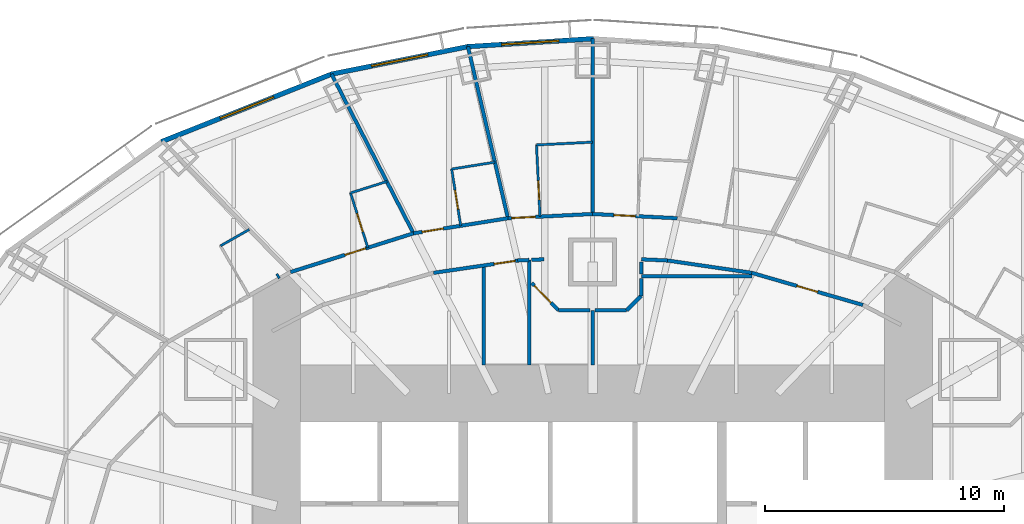
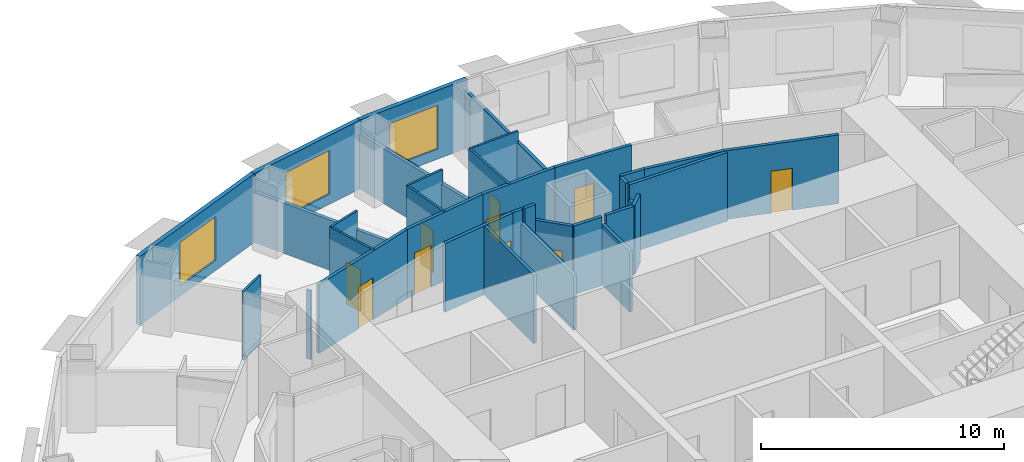
# One storey, part 10 of 17: 34 walls, 10 doors, 3 windows, 13 openings.
"""IFC4 building model written with IfcOpenShell, lengths in metres."""

import ifcopenshell
import ifcopenshell.guid

model = None  # the IFC model being written
_history = None  # IfcOwnerHistory: only IFC2X3 demands one
_inside = {}  # id of a spatial element -> (the spatial element, [elements in it])
_under = {}  # id of a project, library or spatial element -> (it, [spatial elements below it])
_declared = {}  # id of a project -> (the project, [libraries it declares])
_typed = {}  # id of a type object -> (the type object, [elements of that type])
_made_of = {}  # id of a material, layer set ... -> (it, [elements and type objects made of it])


def new_model(schema):
    """Start an empty IFC model of exactly this schema.

    Asked for "IFC4X3", IfcOpenShell would pick the latest addendum, in which some entities
    have other attributes; the version numbers below select the first issue.
    IFC2X3 requires an IfcOwnerHistory on every rooted entity: one is made here for all.
    """
    global model, _history
    if schema == "IFC4X3":
        model = ifcopenshell.file(schema_version=(4, 3, 0, 0))
    else:
        model = ifcopenshell.file(schema=schema)
    _inside.clear()
    _under.clear()
    _declared.clear()
    _typed.clear()
    _made_of.clear()
    _history = None
    if model.schema == "IFC2X3":
        org = make("IfcOrganization", Name="unknown")
        user = make(
            "IfcPersonAndOrganization",
            ThePerson=make("IfcPerson", FamilyName="unknown"),
            TheOrganization=org,
        )
        app = make(
            "IfcApplication",
            ApplicationDeveloper=org,
            Version="unknown",
            ApplicationFullName="unknown",
            ApplicationIdentifier="unknown",
        )
        _history = make(
            "IfcOwnerHistory",
            OwningUser=user,
            OwningApplication=app,
            ChangeAction="ADDED",
            CreationDate=0,
        )
    return model


def make(cls, **values):
    """One entity of the class cls with the attributes given. An attribute that is None is left unset."""
    return model.create_entity(
        cls, **{name: value for name, value in values.items() if value is not None}
    )


def rooted(cls, **values):
    """An entity with a GlobalId (a new one), such as an element, a storey or a relation."""
    return make(cls, GlobalId=ifcopenshell.guid.new(), OwnerHistory=_history, **values)


def si_unit(unit_type, name, prefix=None):
    """IfcSIUnit, for example si_unit("LENGTHUNIT", "METRE", prefix="MILLI")."""
    return make("IfcSIUnit", UnitType=unit_type, Prefix=prefix, Name=name)


def assignment(units):
    """IfcUnitAssignment: the units of a project."""
    return None if units is None else make("IfcUnitAssignment", Units=units)


def point(xyz):
    """IfcCartesianPoint."""
    return None if xyz is None else make("IfcCartesianPoint", Coordinates=xyz)


def direction(xyz):
    """IfcDirection."""
    return None if xyz is None else make("IfcDirection", DirectionRatios=xyz)


def frame(location, z_axis=None, x_axis=None):
    """IfcAxis2Placement3D, a coordinate frame: its origin and axes. An axis left out is left unset."""
    return make(
        "IfcAxis2Placement3D",
        Location=point(location),
        Axis=direction(z_axis),
        RefDirection=direction(x_axis),
    )


def frame_2d(location, x_axis=None):
    """IfcAxis2Placement2D, a coordinate frame in the plane: its origin and x axis."""
    return make(
        "IfcAxis2Placement2D", Location=point(location), RefDirection=direction(x_axis)
    )


def origin():
    """The frame at (0, 0, 0) with its axes left unset."""
    return frame((0.0, 0.0, 0.0))


def place(relative_to, where):
    """IfcLocalPlacement: puts the frame where relative to a parent placement (None: the world)."""
    return make(
        "IfcLocalPlacement", PlacementRelTo=relative_to, RelativePlacement=where
    )


def context(
    kind, dimensions, precision=None, world=None, true_north=None, identifier=None
):
    """IfcGeometricRepresentationContext, for example the 3D "Model" context."""
    return make(
        "IfcGeometricRepresentationContext",
        ContextIdentifier=identifier,
        ContextType=kind,
        CoordinateSpaceDimension=dimensions,
        Precision=precision,
        WorldCoordinateSystem=world,
        TrueNorth=true_north,
    )


def subcontext(parent, identifier, kind, view, scale=None):
    """IfcGeometricRepresentationSubContext, for example "Body" below "Model"."""
    return make(
        "IfcGeometricRepresentationSubContext",
        ContextIdentifier=identifier,
        ContextType=kind,
        ParentContext=parent,
        TargetScale=scale,
        TargetView=view,
    )


def project(units=None, contexts=None):
    """IfcProject with its units and contexts."""
    return rooted(
        "IfcProject",
        Name="project",
        RepresentationContexts=contexts,
        UnitsInContext=assignment(units),
    )


def spatial(cls, under=None, at=None, **own):
    """A site, building, storey or space (cls), placed at a placement, below another one or the project."""
    s = rooted(cls, ObjectPlacement=at, **own)
    if under is not None:
        _under.setdefault(under.id(), (under, []))[1].append(s)
    return s


def profile(cls, at=None, kind="AREA", **sizes):
    """A parametric profile (cls). Its sizes go by their IFC names, for example OverallWidth=200.0."""
    return make(cls, ProfileType=kind, Position=at, **sizes)


def rectangle(**sizes):
    """IfcRectangleProfileDef."""
    return profile("IfcRectangleProfileDef", **sizes)


def extrude(swept, where, along, depth):
    """IfcExtrudedAreaSolid: the profile swept, set in the frame where, extruded along a direction by depth."""
    return make(
        "IfcExtrudedAreaSolid",
        SweptArea=swept,
        Position=where,
        ExtrudedDirection=direction(along),
        Depth=depth,
    )


def shape(context_of_items, identifier, shape_type, items):
    """IfcShapeRepresentation: the items that make up one representation, for example the "Body"."""
    return make(
        "IfcShapeRepresentation",
        ContextOfItems=context_of_items,
        RepresentationIdentifier=identifier,
        RepresentationType=shape_type,
        Items=items,
    )


def material(Name=None, Category=None):
    """IfcMaterial."""
    return make("IfcMaterial", Name=Name, Category=Category)


def layer(
    of_material, thickness, ventilated=None, Name=None, Category=None, Priority=None
):
    """IfcMaterialLayer: one layer of a wall or slab, of a material (None: an air gap)."""
    return make(
        "IfcMaterialLayer",
        Material=of_material,
        LayerThickness=thickness,
        IsVentilated=ventilated,
        Name=Name,
        Category=Category,
        Priority=Priority,
    )


def layer_set(layers, Name=None):
    """IfcMaterialLayerSet."""
    return make("IfcMaterialLayerSet", MaterialLayers=layers, LayerSetName=Name)


def made_of(thing, what):
    """Note that an element or type object is made of a material, layer set ...; save() writes the relation."""
    if what is not None:
        _made_of.setdefault(what.id(), (what, []))[1].append(thing)
    return thing


def type_object(cls, material=None, **own):
    """A type object (cls), such as IfcWallType, which elements share."""
    return made_of(rooted(cls, **own), material)


def element(
    cls,
    number,
    at=None,
    inside=None,
    cuts=None,
    type_object=None,
    material=None,
    context=None,
    identifier="Body",
    shape_type=None,
    held_by="IfcProductDefinitionShape",
    body=None,
    shapes=None,
    **own,
):
    """One element of the class cls, such as IfcWall. Its Tag is "e" and its number.

    at: its placement. inside: the storey or other place that contains it. cuts: it is an
    opening in that element (IfcRelVoidsElement). A single representation is given by context,
    identifier, shape_type and body (its items); several are given by shapes. held_by: the class
    of the entity that holds the representations. save() writes the other relations.
    """
    e = rooted(cls, Tag="e%d" % number, ObjectPlacement=at, **own)
    if body is not None:
        shapes = [shape(context, identifier, shape_type, body)]
    if shapes is not None:
        e.Representation = make(held_by, Representations=shapes)
    if inside is not None:
        _inside.setdefault(inside.id(), (inside, []))[1].append(e)
    if cuts is not None:
        rooted(
            "IfcRelVoidsElement", RelatingBuildingElement=cuts, RelatedOpeningElement=e
        )
    if type_object is not None:
        _typed.setdefault(type_object.id(), (type_object, []))[1].append(e)
    return made_of(e, material)


def fill(opening, filler):
    """IfcRelFillsElement: the door or window that sits in an opening."""
    return rooted(
        "IfcRelFillsElement",
        RelatingOpeningElement=opening,
        RelatedBuildingElement=filler,
    )


def aggregate(whole, parts):
    """IfcRelAggregates: a whole, such as a stair, and the parts it consists of."""
    return rooted("IfcRelAggregates", RelatingObject=whole, RelatedObjects=parts)


def save(model, path):
    """Write the relations noted so far, then the file.

    IfcRelAggregates (storeys below a building ...), IfcRelContainedInSpatialStructure (elements
    in a storey), IfcRelDefinesByType, IfcRelAssociatesMaterial and IfcRelDeclares: one each for
    every whole, place, type object, material and project.
    """
    for whole, parts in _under.values():
        aggregate(whole, parts)
    for where, things in _inside.values():
        rooted(
            "IfcRelContainedInSpatialStructure",
            RelatedElements=things,
            RelatingStructure=where,
        )
    for kind, things in _typed.values():
        rooted("IfcRelDefinesByType", RelatedObjects=things, RelatingType=kind)
    for what, things in _made_of.values():
        rooted("IfcRelAssociatesMaterial", RelatedObjects=things, RelatingMaterial=what)
    for by, libraries in _declared.values():
        rooted("IfcRelDeclares", RelatingContext=by, RelatedDefinitions=libraries)
    model.write(path)


model = new_model("IFC4")

# Units and contexts
model_context = context("Model", 3, precision=1e-05, world=origin(), true_north=direction((0.0, 1.0)))
body_context = subcontext(model_context, "Body", "Model", "MODEL_VIEW")
ifc_project = project(units=[si_unit("LENGTHUNIT", "METRE"), si_unit("AREAUNIT", "SQUARE_METRE"), si_unit("VOLUMEUNIT", "CUBIC_METRE"), si_unit("PLANEANGLEUNIT", "RADIAN"), si_unit("MASSUNIT", "GRAM", prefix="KILO")], contexts=[model_context])

# Site, building, storey
site_placement = place(None, origin())
site = spatial("IfcSite", under=ifc_project, at=site_placement, CompositionType="ELEMENT")
building_placement = place(site_placement, origin())
building = spatial("IfcBuilding", under=site, at=building_placement, Name="Lantaw Convention Tower", CompositionType="ELEMENT")
storey_placement = place(building_placement, frame((0.0, 0.0, 37.0)))
storey = spatial("IfcBuildingStorey", under=building, at=storey_placement, Name="L06", CompositionType="ELEMENT", Elevation=37.0)

# Walls
ifc_material_1 = material(Name="Gypsum board on steel studs", Category="steel")
ifc_layer_1 = layer(ifc_material_1, 0.14990234375)
ifc_layer_set_1 = layer_set([ifc_layer_1], Name="Back of house wall 150")
wall_type_1 = type_object("IfcWallType", Name="Back of house wall 150", PredefinedType="PARTITIONING", material=ifc_layer_set_1)
wall_1_placement = place(storey_placement, frame((0.0, 9.199951171875, 0.0), z_axis=(0.0, 0.0, 1.0), x_axis=(0.0, 1.0, 0.0)))
element("IfcWall", 1, at=wall_1_placement, inside=storey, type_object=wall_type_1, Name="Back of house wall 150", PredefinedType="PARTITIONING", context=body_context, shape_type="SweptSolid", body=[
    extrude(rectangle(XDim=2.26513671875, YDim=0.14990234375, at=frame_2d((1.132568359375, 0.0))), origin(), (0.0, 0.0, 1.0), 3.043701171875),
])
wall_2_placement = place(storey_placement, frame((6.667724609375, 12.89990234375, 0.0), z_axis=(0.0, 0.0, 1.0), x_axis=(-1.0, 0.0, 0.0)))
element("IfcWall", 2, at=wall_2_placement, inside=storey, type_object=wall_type_1, Name="Back of house wall 150", PredefinedType="PARTITIONING", context=body_context, shape_type="SweptSolid", body=[
    extrude(rectangle(XDim=4.6328125, YDim=0.14990234375, at=frame_2d((2.31640625, 0.0))), origin(), (0.0, 0.0, 1.0), 3.449951171875),
])
wall_3_placement = place(storey_placement, frame((2.02490234375, 12.796875, 0.0), z_axis=(0.0, 0.0, 1.0), x_axis=(0.0, -1.0, 0.0)))
element("IfcWall", 3, at=wall_3_placement, inside=storey, type_object=wall_type_1, Name="Back of house wall 150", PredefinedType="PARTITIONING", context=body_context, shape_type="SweptSolid", body=[
    extrude(rectangle(XDim=0.721435546875, YDim=0.14990234375, at=frame_2d((0.36083984375, 0.0))), origin(), (0.0, 0.0, 1.0), 2.7490234375),
])
wall_4_placement = place(storey_placement, frame((2.02490234375, 12.075439453125, 0.0), z_axis=(0.0, 0.0, 1.0), x_axis=(-0.707106781187, -0.707106781187, 0.0)))
element("IfcWall", 4, at=wall_4_placement, inside=storey, type_object=wall_type_1, Name="Back of house wall 150", PredefinedType="PARTITIONING", context=body_context, shape_type="SweptSolid", body=[
    extrude(rectangle(XDim=0.84912109375, YDim=0.14990234375, at=frame_2d((0.424560546875, 0.0))), origin(), (0.0, 0.0, 1.0), 3.449951171875),
])
for number, where, z_axis, x_axis, name in (
    (5, (1.424560546875, 11.47509765625, 0.0), (0.0, 0.0, 1.0), (-1.0, 0.0, 0.0), "Back of house wall 150"),
    (6, (-0.103271484375, 11.47509765625, 0.0), (0.0, 0.0, 1.0), (-1.0, 0.0, 0.0), "Back of house wall 150"),
):
    element("IfcWall", number, at=place(storey_placement, frame(where, z_axis=z_axis, x_axis=x_axis)), inside=storey, type_object=wall_type_1, Name=name, PredefinedType="PARTITIONING", context=body_context, shape_type="SweptSolid", body=[
        extrude(rectangle(XDim=1.3212890625, YDim=0.14990234375, at=frame_2d((0.66064453125, 0.0))), origin(), (0.0, 0.0, 1.0), 3.449951171875),
    ])
wall_5_placement = place(storey_placement, frame((2.02490234375, 13.502685546875, 0.0), z_axis=(0.0, 0.0, 1.0), x_axis=(0.0, -1.0, 0.0)))
element("IfcWall", 7, at=wall_5_placement, inside=storey, type_object=wall_type_1, Name="Back of house wall 150", PredefinedType="PARTITIONING", context=body_context, shape_type="SweptSolid", body=[
    extrude(rectangle(XDim=0.49951171875, YDim=0.14990234375, at=frame_2d((0.249755859375, 0.0))), origin(), (0.0, 0.0, 1.0), 3.449951171875),
])

# Wall, opening, door
ifc_material_2 = material(Name="Moisture resistant gypsum board on steel studs", Category="steel")
ifc_layer_2 = layer(ifc_material_2, 0.10009765625)
ifc_layer_set_2 = layer_set([ifc_layer_2], Name="Bathroom wall 100")
wall_type_2 = type_object("IfcWallType", Name="Bathroom wall 100", PredefinedType="PARTITIONING", material=ifc_layer_set_2)
wall_6_placement = place(storey_placement, frame((-2.197265625, 15.390380859375, 0.0), z_axis=(0.0, 0.0, 1.0), x_axis=(-0.049888907753, 0.998754773147, 0.0)))
wall_6 = element("IfcWall", 8, at=wall_6_placement, inside=storey, type_object=wall_type_2, Name="Bathroom wall 100", PredefinedType="PARTITIONING", context=body_context, shape_type="SweptSolid", body=[
    extrude(rectangle(XDim=2.999755859375, YDim=0.10009765625, at=frame_2d((1.5, 0.0))), origin(), (0.0, 0.0, 1.0), 3.449951171875),
])
opening_1_placement = place(wall_6_placement, frame((0.699951171875, 0.0, 0.0)))
opening_1 = element("IfcOpeningElement", 9, at=opening_1_placement, cuts=wall_6, Name="Opening L06.37", PredefinedType="OPENING", context=body_context, shape_type="SweptSolid", body=[
    extrude(rectangle(XDim=0.800048828125, YDim=2.10009765625, at=frame_2d((0.39990234375, 1.050048828125))), frame((0.0, 0.06005859375, 0.0), z_axis=(0.0, -1.0, 0.0), x_axis=(1.0, 0.0, 0.0)), (0.0, 0.0, 1.0), 0.1201171875),
])
ifc_material_3 = material(Name="Timber", Category="wood")
door_type_1 = type_object("IfcDoorType", Name="Bathroom door 800", OperationType="SINGLE_SWING_LEFT", PredefinedType="DOOR", material=ifc_material_3)
door_1_placement = place(opening_1_placement, origin())
door_1 = element("IfcDoor", 10, at=door_1_placement, inside=storey, type_object=door_type_1, Name="Bathroom door", OperationType="SINGLE_SWING_LEFT", OverallHeight=2.10009765625, OverallWidth=0.800048828125, PredefinedType="DOOR", context=body_context, shape_type="SweptSolid", body=[
    extrude(rectangle(XDim=0.800048828125, YDim=2.10009765625, at=frame_2d((0.39990234375, 1.050048828125))), frame((0.0, 0.02490234375, 0.0), z_axis=(0.0, -1.0, 0.0), x_axis=(1.0, 0.0, 0.0)), (0.0, 0.0, 1.0), 0.050048828125),
])
fill(opening_1, door_1)

# Wall
wall_7_placement = place(storey_placement, frame((-2.346923828125, 18.386474609375, 0.0), z_axis=(0.0, 0.0, 1.0), x_axis=(0.998755704817, 0.049870252607, 0.0)))
element("IfcWall", 11, at=wall_7_placement, inside=storey, type_object=wall_type_2, Name="Bathroom wall 100", PredefinedType="PARTITIONING", context=body_context, shape_type="SweptSolid", body=[
    extrude(rectangle(XDim=2.349853515625, YDim=0.10009765625, at=frame_2d((1.1748046875, 0.0))), origin(), (0.0, 0.0, 1.0), 3.449951171875),
])

# Wall, opening, door
wall_8_placement = place(storey_placement, frame((-5.5126953125, 15.0078125, 0.0), z_axis=(0.0, 0.0, 1.0), x_axis=(-0.157780217218, 0.987474254376, 0.0)))
wall_8 = element("IfcWall", 12, at=wall_8_placement, inside=storey, type_object=wall_type_2, Name="Bathroom wall 100", PredefinedType="PARTITIONING", context=body_context, shape_type="SweptSolid", body=[
    extrude(rectangle(XDim=2.39990234375, YDim=0.10009765625, at=frame_2d((1.199951171875, 0.0))), origin(), (0.0, 0.0, 1.0), 3.449951171875),
])
opening_2_placement = place(wall_8_placement, frame((0.699951171875, 0.0, 0.0)))
opening_2 = element("IfcOpeningElement", 13, at=opening_2_placement, cuts=wall_8, Name="Opening L06.39", PredefinedType="OPENING", context=body_context, shape_type="SweptSolid", body=[
    extrude(rectangle(XDim=0.800048828125, YDim=2.10009765625, at=frame_2d((0.39990234375, 1.050048828125))), frame((0.0, 0.06005859375, 0.0), z_axis=(0.0, -1.0, 0.0), x_axis=(1.0, 0.0, 0.0)), (0.0, 0.0, 1.0), 0.1201171875),
])
door_2_placement = place(opening_2_placement, origin())
door_2 = element("IfcDoor", 14, at=door_2_placement, inside=storey, type_object=door_type_1, Name="Bathroom door", OperationType="SINGLE_SWING_LEFT", OverallHeight=2.10009765625, OverallWidth=0.800048828125, PredefinedType="DOOR", context=body_context, shape_type="SweptSolid", body=[
    extrude(rectangle(XDim=0.800048828125, YDim=2.10009765625, at=frame_2d((0.39990234375, 1.050048828125))), frame((0.0, 0.02490234375, 0.0), z_axis=(0.0, -1.0, 0.0), x_axis=(1.0, 0.0, 0.0)), (0.0, 0.0, 1.0), 0.050048828125),
])
fill(opening_2, door_2)

# Wall
wall_9_placement = place(storey_placement, frame((-5.891357421875, 17.377685546875, 0.0), z_axis=(0.0, 0.0, 1.0), x_axis=(0.987478784284, 0.157751863976, 0.0)))
element("IfcWall", 15, at=wall_9_placement, inside=storey, type_object=wall_type_2, Name="Bathroom wall 100", PredefinedType="PARTITIONING", context=body_context, shape_type="SweptSolid", body=[
    extrude(rectangle(XDim=1.83544921875, YDim=0.10009765625, at=frame_2d((0.917724609375, 0.0))), origin(), (0.0, 0.0, 1.0), 3.449951171875),
])

# Wall, opening, door
wall_10_placement = place(storey_placement, frame((-9.393798828125, 14.09130859375, 0.0), z_axis=(0.0, 0.0, 1.0), x_axis=(-0.30049839721, 0.953782319649, 0.0)))
wall_10 = element("IfcWall", 16, at=wall_10_placement, inside=storey, type_object=wall_type_2, Name="Bathroom wall 100", PredefinedType="PARTITIONING", context=body_context, shape_type="SweptSolid", body=[
    extrude(rectangle(XDim=2.39990234375, YDim=0.10009765625, at=frame_2d((1.199951171875, 0.0))), origin(), (0.0, 0.0, 1.0), 3.449951171875),
])
opening_3_placement = place(wall_10_placement, frame((0.699951171875, 0.0, 0.0)))
opening_3 = element("IfcOpeningElement", 17, at=opening_3_placement, cuts=wall_10, Name="Opening L06.41", PredefinedType="OPENING", context=body_context, shape_type="SweptSolid", body=[
    extrude(rectangle(XDim=0.800048828125, YDim=2.10009765625, at=frame_2d((0.39990234375, 1.050048828125))), frame((0.0, 0.06005859375, 0.0), z_axis=(0.0, -1.0, 0.0), x_axis=(1.0, 0.0, 0.0)), (0.0, 0.0, 1.0), 0.1201171875),
])
door_3_placement = place(opening_3_placement, origin())
door_3 = element("IfcDoor", 18, at=door_3_placement, inside=storey, type_object=door_type_1, Name="Bathroom door", OperationType="SINGLE_SWING_LEFT", OverallHeight=2.10009765625, OverallWidth=0.800048828125, PredefinedType="DOOR", context=body_context, shape_type="SweptSolid", body=[
    extrude(rectangle(XDim=0.800048828125, YDim=2.10009765625, at=frame_2d((0.39990234375, 1.050048828125))), frame((0.0, 0.02490234375, 0.0), z_axis=(0.0, -1.0, 0.0), x_axis=(1.0, 0.0, 0.0)), (0.0, 0.0, 1.0), 0.050048828125),
])
fill(opening_3, door_3)

# Walls
wall_11_placement = place(storey_placement, frame((-10.114990234375, 16.38037109375, 0.0), z_axis=(0.0, 0.0, 1.0), x_axis=(0.953764923986, 0.300553605492, 0.0)))
element("IfcWall", 19, at=wall_11_placement, inside=storey, type_object=wall_type_2, Name="Bathroom wall 100", PredefinedType="PARTITIONING", context=body_context, shape_type="SweptSolid", body=[
    extrude(rectangle(XDim=1.597900390625, YDim=0.10009765625, at=frame_2d((0.798828125, 0.0))), origin(), (0.0, 0.0, 1.0), 3.449951171875),
])
wall_12_placement = place(storey_placement, frame((-15.550048828125, 14.169677734375, 0.0), z_axis=(0.0, 0.0, 1.0), x_axis=(0.869065896633, 0.494696338485, 0.0)))
element("IfcWall", 20, at=wall_12_placement, inside=storey, type_object=wall_type_2, Name="Bathroom wall 100", PredefinedType="PARTITIONING", context=body_context, shape_type="SweptSolid", body=[
    extrude(rectangle(XDim=1.3857421875, YDim=0.10009765625, at=frame_2d((0.69287109375, 0.0))), origin(), (0.0, 0.0, 1.0), 3.449951171875),
])

# Wall, opening, door
ifc_material_4 = material(Name="Gypsum board on steel studs, fire rated", Category="steel")
ifc_layer_3 = layer(ifc_material_4, 0.14990234375)
ifc_layer_set_3 = layer_set([ifc_layer_3], Name="Corridor wall 150 EI 60")
wall_type_3 = type_object("IfcWallType", Name="Corridor wall 150 EI 60", PredefinedType="PARTITIONING", material=ifc_layer_set_3)
wall_13_placement = place(storey_placement, frame((3.53759765625, 15.3232421875, 0.0), z_axis=(0.0, 0.0, 1.0), x_axis=(-0.998754057167, 0.049903239295, 0.0)))
wall_13 = element("IfcWall", 21, at=wall_13_placement, inside=storey, type_object=wall_type_3, Name="Corridor wall 150", PredefinedType="PARTITIONING", context=body_context, shape_type="SweptSolid", body=[
    extrude(rectangle(XDim=3.5419921875, YDim=0.14990234375, at=frame_2d((1.77099609375, 0.0))), origin(), (0.0, 0.0, 1.0), 3.449951171875),
])
opening_4_placement = place(wall_13_placement, frame((1.75, 0.0, 0.0)))
opening_4 = element("IfcOpeningElement", 22, at=opening_4_placement, cuts=wall_13, Name="Opening L06.36", PredefinedType="OPENING", context=body_context, shape_type="SweptSolid", body=[
    extrude(rectangle(XDim=0.89990234375, YDim=2.10009765625, at=frame_2d((0.449951171875, 1.050048828125))), frame((0.0, 0.0849609375, 0.0), z_axis=(0.0, -1.0, 0.0), x_axis=(1.0, 0.0, 0.0)), (0.0, 0.0, 1.0), 0.169921875),
])
ifc_material_5 = material(Name="Steel, fire rated", Category="steel")
door_type_2 = type_object("IfcDoorType", Name="Guest room entrance door FD30S", OperationType="SINGLE_SWING_LEFT", PredefinedType="DOOR", material=ifc_material_5)
door_4_placement = place(opening_4_placement, origin())
door_4 = element("IfcDoor", 23, at=door_4_placement, inside=storey, type_object=door_type_2, Name="Guest room entrance door", OperationType="SINGLE_SWING_LEFT", OverallHeight=2.10009765625, OverallWidth=0.89990234375, PredefinedType="DOOR", context=body_context, shape_type="SweptSolid", body=[
    extrude(rectangle(XDim=0.89990234375, YDim=2.10009765625, at=frame_2d((0.449951171875, 1.050048828125))), frame((0.0, 0.02490234375, 0.0), z_axis=(0.0, -1.0, 0.0), x_axis=(1.0, 0.0, 0.0)), (0.0, 0.0, 1.0), 0.050048828125),
])
fill(opening_4, door_4)

wall_14_placement = place(storey_placement, frame((0.0, 15.5, 0.0), z_axis=(0.0, 0.0, 1.0), x_axis=(-0.998754057167, -0.049903239295, 0.0)))
wall_14 = element("IfcWall", 24, at=wall_14_placement, inside=storey, type_object=wall_type_3, Name="Corridor wall 150", PredefinedType="PARTITIONING", context=body_context, shape_type="SweptSolid", body=[
    extrude(rectangle(XDim=3.5419921875, YDim=0.14990234375, at=frame_2d((1.77099609375, 0.0))), origin(), (0.0, 0.0, 1.0), 3.449951171875),
])
opening_5_placement = place(wall_14_placement, frame((2.39208984375, 0.0, 0.0)))
opening_5 = element("IfcOpeningElement", 25, at=opening_5_placement, cuts=wall_14, Name="Opening L06.38", PredefinedType="OPENING", context=body_context, shape_type="SweptSolid", body=[
    extrude(rectangle(XDim=1.0, YDim=2.10009765625, at=frame_2d((0.5, 1.050048828125))), frame((0.0, 0.0849609375, 0.0), z_axis=(0.0, -1.0, 0.0), x_axis=(1.0, 0.0, 0.0)), (0.0, 0.0, 1.0), 0.169921875),
])
door_type_3 = type_object("IfcDoorType", Name="Accessible room entrance door FD30S", OperationType="SINGLE_SWING_LEFT", PredefinedType="DOOR", material=ifc_material_5)
door_5_placement = place(opening_5_placement, origin())
door_5 = element("IfcDoor", 26, at=door_5_placement, inside=storey, type_object=door_type_3, Name="Guest room entrance door", OperationType="SINGLE_SWING_LEFT", OverallHeight=2.10009765625, OverallWidth=1.0, PredefinedType="DOOR", context=body_context, shape_type="SweptSolid", body=[
    extrude(rectangle(XDim=1.0, YDim=2.10009765625, at=frame_2d((0.5, 1.050048828125))), frame((0.0, 0.02490234375, 0.0), z_axis=(0.0, -1.0, 0.0), x_axis=(1.0, 0.0, 0.0)), (0.0, 0.0, 1.0), 0.050048828125),
])
fill(opening_5, door_5)

wall_15_placement = place(storey_placement, frame((-3.53759765625, 15.3232421875, 0.0), z_axis=(0.0, 0.0, 1.0), x_axis=(-0.987475660646, -0.157771415761, 0.0)))
wall_15 = element("IfcWall", 27, at=wall_15_placement, inside=storey, type_object=wall_type_3, Name="Corridor wall 150", PredefinedType="PARTITIONING", context=body_context, shape_type="SweptSolid", body=[
    extrude(rectangle(XDim=3.99853515625, YDim=0.14990234375, at=frame_2d((1.999267578125, 0.0))), origin(), (0.0, 0.0, 1.0), 3.449951171875),
])
opening_6_placement = place(wall_15_placement, frame((2.736328125, 0.0, 0.0)))
opening_6 = element("IfcOpeningElement", 28, at=opening_6_placement, cuts=wall_15, Name="Opening L06.40", PredefinedType="OPENING", context=body_context, shape_type="SweptSolid", body=[
    extrude(rectangle(XDim=0.89990234375, YDim=2.10009765625, at=frame_2d((0.449951171875, 1.050048828125))), frame((0.0, 0.0849609375, 0.0), z_axis=(0.0, -1.0, 0.0), x_axis=(1.0, 0.0, 0.0)), (0.0, 0.0, 1.0), 0.169921875),
])
door_6_placement = place(opening_6_placement, origin())
door_6 = element("IfcDoor", 29, at=door_6_placement, inside=storey, type_object=door_type_2, Name="Guest room entrance door", OperationType="SINGLE_SWING_LEFT", OverallHeight=2.10009765625, OverallWidth=0.89990234375, PredefinedType="DOOR", context=body_context, shape_type="SweptSolid", body=[
    extrude(rectangle(XDim=0.89990234375, YDim=2.10009765625, at=frame_2d((0.449951171875, 1.050048828125))), frame((0.0, 0.02490234375, 0.0), z_axis=(0.0, -1.0, 0.0), x_axis=(1.0, 0.0, 0.0)), (0.0, 0.0, 1.0), 0.050048828125),
])
fill(opening_6, door_6)

wall_16_placement = place(storey_placement, frame((-7.486083984375, 14.6923828125, 0.0), z_axis=(0.0, 0.0, 1.0), x_axis=(-0.953774229808, -0.30052407317, 0.0)))
wall_16 = element("IfcWall", 30, at=wall_16_placement, inside=storey, type_object=wall_type_3, Name="Corridor wall 150", PredefinedType="PARTITIONING", context=body_context, shape_type="SweptSolid", body=[
    extrude(rectangle(XDim=5.3876953125, YDim=0.14990234375, at=frame_2d((2.69384765625, 0.0))), origin(), (0.0, 0.0, 1.0), 3.449951171875),
])
opening_7_placement = place(wall_16_placement, frame((2.10009765625, 0.0, 0.0)))
opening_7 = element("IfcOpeningElement", 31, at=opening_7_placement, cuts=wall_16, Name="Opening L06.42", PredefinedType="OPENING", context=body_context, shape_type="SweptSolid", body=[
    extrude(rectangle(XDim=0.89990234375, YDim=2.10009765625, at=frame_2d((0.449951171875, 1.050048828125))), frame((0.0, 0.0849609375, 0.0), z_axis=(0.0, -1.0, 0.0), x_axis=(1.0, 0.0, 0.0)), (0.0, 0.0, 1.0), 0.169921875),
])
door_7_placement = place(opening_7_placement, origin())
door_7 = element("IfcDoor", 32, at=door_7_placement, inside=storey, type_object=door_type_2, Name="Guest room entrance door", OperationType="SINGLE_SWING_LEFT", OverallHeight=2.10009765625, OverallWidth=0.89990234375, PredefinedType="DOOR", context=body_context, shape_type="SweptSolid", body=[
    extrude(rectangle(XDim=0.89990234375, YDim=2.10009765625, at=frame_2d((0.449951171875, 1.050048828125))), frame((0.0, 0.02490234375, 0.0), z_axis=(0.0, -1.0, 0.0), x_axis=(1.0, 0.0, 0.0)), (0.0, 0.0, 1.0), 0.050048828125),
])
fill(opening_7, door_7)

wall_17_placement = place(storey_placement, frame((11.296142578125, 11.697509765625, 0.0), z_axis=(0.0, 0.0, 1.0), x_axis=(-0.960678318068, 0.277663770041, 0.0)))
wall_17 = element("IfcWall", 33, at=wall_17_placement, inside=storey, type_object=wall_type_3, Name="Corridor wall 150", PredefinedType="PARTITIONING", context=body_context, shape_type="SweptSolid", body=[
    extrude(rectangle(XDim=4.84130859375, YDim=0.14990234375, at=frame_2d((2.420654296875, 0.0))), origin(), (0.0, 0.0, 1.0), 3.449951171875),
])
opening_8_placement = place(wall_17_placement, frame((1.970703125, 0.0, 0.0)))
opening_8 = element("IfcOpeningElement", 34, at=opening_8_placement, cuts=wall_17, Name="Opening L06.15", PredefinedType="OPENING", context=body_context, shape_type="SweptSolid", body=[
    extrude(rectangle(XDim=0.89990234375, YDim=2.10009765625, at=frame_2d((0.449951171875, 1.050048828125))), frame((0.0, 0.0849609375, 0.0), z_axis=(0.0, -1.0, 0.0), x_axis=(1.0, 0.0, 0.0)), (0.0, 0.0, 1.0), 0.169921875),
])
door_type_4 = type_object("IfcDoorType", Name="Service door 900 FD30", OperationType="SINGLE_SWING_LEFT", PredefinedType="DOOR", material=ifc_material_5)
door_8_placement = place(opening_8_placement, origin())
door_8 = element("IfcDoor", 35, at=door_8_placement, inside=storey, type_object=door_type_4, Name="Linen store room door", OperationType="SINGLE_SWING_LEFT", OverallHeight=2.10009765625, OverallWidth=0.89990234375, PredefinedType="DOOR", context=body_context, shape_type="SweptSolid", body=[
    extrude(rectangle(XDim=0.89990234375, YDim=2.10009765625, at=frame_2d((0.449951171875, 1.050048828125))), frame((0.0, 0.02490234375, 0.0), z_axis=(0.0, -1.0, 0.0), x_axis=(1.0, 0.0, 0.0)), (0.0, 0.0, 1.0), 0.050048828125),
])
fill(opening_8, door_8)

# Wall
wall_18_placement = place(storey_placement, frame((6.645263671875, 13.041748046875, 0.0), z_axis=(0.0, 0.0, 1.0), x_axis=(-0.989443047021, 0.14492224364, 0.0)))
element("IfcWall", 36, at=wall_18_placement, inside=storey, type_object=wall_type_3, Name="Corridor wall 150", PredefinedType="PARTITIONING", context=body_context, shape_type="SweptSolid", body=[
    extrude(rectangle(XDim=3.552978515625, YDim=0.14990234375, at=frame_2d((1.7763671875, 0.0))), origin(), (0.0, 0.0, 1.0), 3.449951171875),
])

# Wall, opening, door
wall_19_placement = place(storey_placement, frame((-3.1298828125, 13.556640625, 0.0), z_axis=(0.0, 0.0, 1.0), x_axis=(-0.989443047021, -0.14492224364, 0.0)))
wall_19 = element("IfcWall", 37, at=wall_19_placement, inside=storey, type_object=wall_type_3, Name="Corridor wall 150", PredefinedType="PARTITIONING", context=body_context, shape_type="SweptSolid", body=[
    extrude(rectangle(XDim=3.552978515625, YDim=0.14990234375, at=frame_2d((1.7763671875, 0.0))), origin(), (0.0, 0.0, 1.0), 3.449951171875),
])
opening_9_placement = place(wall_19_placement, frame((0.10009765625, 0.0, 0.0)))
opening_9 = element("IfcOpeningElement", 38, at=opening_9_placement, cuts=wall_19, Name="Opening L06.18", PredefinedType="OPENING", context=body_context, shape_type="SweptSolid", body=[
    extrude(rectangle(XDim=0.89990234375, YDim=2.10009765625, at=frame_2d((0.449951171875, 1.050048828125))), frame((0.0, 0.0849609375, 0.0), z_axis=(0.0, -1.0, 0.0), x_axis=(1.0, 0.0, 0.0)), (0.0, 0.0, 1.0), 0.169921875),
])
door_type_5 = type_object("IfcDoorType", Name="WC door 900 FD30", OperationType="SINGLE_SWING_LEFT", PredefinedType="DOOR", material=ifc_material_5)
door_9_placement = place(opening_9_placement, origin())
door_9 = element("IfcDoor", 39, at=door_9_placement, inside=storey, type_object=door_type_5, Name="Staff WC door", OperationType="SINGLE_SWING_LEFT", OverallHeight=2.10009765625, OverallWidth=0.89990234375, PredefinedType="DOOR", context=body_context, shape_type="SweptSolid", body=[
    extrude(rectangle(XDim=0.89990234375, YDim=2.10009765625, at=frame_2d((0.449951171875, 1.050048828125))), frame((0.0, 0.02490234375, 0.0), z_axis=(0.0, -1.0, 0.0), x_axis=(1.0, 0.0, 0.0)), (0.0, 0.0, 1.0), 0.050048828125),
])
fill(opening_9, door_9)

# Walls
wall_20_placement = place(storey_placement, frame((3.1298828125, 13.556640625, 0.0), z_axis=(0.0, 0.0, 1.0), x_axis=(-0.998946843147, 0.045882508292, 0.0)))
element("IfcWall", 40, at=wall_20_placement, inside=storey, type_object=wall_type_3, Name="Corridor wall 150", PredefinedType="PARTITIONING", context=body_context, shape_type="SweptSolid", body=[
    extrude(rectangle(XDim=1.09619140625, YDim=0.14990234375, at=frame_2d((0.548095703125, 0.0))), origin(), (0.0, 0.0, 1.0), 3.449951171875),
])
wall_21_placement = place(storey_placement, frame((-2.659912109375, 13.578369140625, 0.0), z_axis=(0.0, 0.0, 1.0), x_axis=(-0.998932929821, -0.046184431561, 0.0)))
element("IfcWall", 41, at=wall_21_placement, inside=storey, type_object=wall_type_3, Name="Corridor wall 150", PredefinedType="PARTITIONING", context=body_context, shape_type="SweptSolid", body=[
    extrude(rectangle(XDim=0.470458984375, YDim=0.14990234375, at=frame_2d((0.2353515625, 0.0))), origin(), (0.0, 0.0, 1.0), 3.449951171875),
])

# Wall, opening, door
wall_22_placement = place(storey_placement, frame((-1.424560546875, 11.47509765625, 0.0), z_axis=(0.0, 0.0, 1.0), x_axis=(-0.701810897552, 0.71236329501, 0.0)))
wall_22 = element("IfcWall", 42, at=wall_22_placement, inside=storey, type_object=wall_type_3, Name="Corridor wall 150", PredefinedType="PARTITIONING", context=body_context, shape_type="SweptSolid", body=[
    extrude(rectangle(XDim=1.596435546875, YDim=0.14990234375, at=frame_2d((0.79833984375, 0.0))), origin(), (0.0, 0.0, 1.0), 3.449951171875),
])
opening_10_placement = place(wall_22_placement, frame((0.449951171875, 0.0, 0.0)))
opening_10 = element("IfcOpeningElement", 43, at=opening_10_placement, cuts=wall_22, Name="Opening L06.17", PredefinedType="OPENING", context=body_context, shape_type="SweptSolid", body=[
    extrude(rectangle(XDim=1.0, YDim=2.10009765625, at=frame_2d((0.5, 1.050048828125))), frame((0.0, 0.0849609375, 0.0), z_axis=(0.0, -1.0, 0.0), x_axis=(1.0, 0.0, 0.0)), (0.0, 0.0, 1.0), 0.169921875),
])
door_type_6 = type_object("IfcDoorType", Name="Accessible WC door 1000 FD30", OperationType="SINGLE_SWING_LEFT", PredefinedType="DOOR", material=ifc_material_5)
door_10_placement = place(opening_10_placement, origin())
door_10 = element("IfcDoor", 44, at=door_10_placement, inside=storey, type_object=door_type_6, Name="Accessible WC door", OperationType="SINGLE_SWING_LEFT", OverallHeight=2.10009765625, OverallWidth=1.0, PredefinedType="DOOR", context=body_context, shape_type="SweptSolid", body=[
    extrude(rectangle(XDim=1.0, YDim=2.10009765625, at=frame_2d((0.5, 1.050048828125))), frame((0.0, 0.02490234375, 0.0), z_axis=(0.0, -1.0, 0.0), x_axis=(1.0, 0.0, 0.0)), (0.0, 0.0, 1.0), 0.050048828125),
])
fill(opening_10, door_10)

# Wall
wall_23_placement = place(storey_placement, frame((-2.54541015625, 13.58349609375, 0.0), z_axis=(0.0, 0.0, 1.0), x_axis=(0.998945224079, 0.045917744822, 0.0)))
element("IfcWall", 45, at=wall_23_placement, inside=storey, type_object=wall_type_3, Name="Corridor wall 150", PredefinedType="PARTITIONING", context=body_context, shape_type="SweptSolid", body=[
    extrude(rectangle(XDim=0.52099609375, YDim=0.14990234375, at=frame_2d((0.260498046875, 0.0))), origin(), (0.0, 0.0, 1.0), 3.449951171875),
])

# Wall, opening, window
ifc_material_6 = material(Name="Insulated aluminium panel on steel frame", Category="steel")
ifc_layer_4 = layer(ifc_material_6, 0.199951171875)
ifc_layer_set_4 = layer_set([ifc_layer_4], Name="External wall 200")
wall_type_4 = type_object("IfcWallType", Name="External wall 200", PredefinedType="SOLIDWALL", material=ifc_layer_set_4)
wall_24_placement = place(storey_placement, frame((0.041015625, 22.8271484375, 0.0), z_axis=(0.0, 0.0, 1.0), x_axis=(-0.998018582375, -0.062919863585, 0.0)))
wall_24 = element("IfcWall", 46, at=wall_24_placement, inside=storey, type_object=wall_type_4, Name="Facade panel wall", PredefinedType="SOLIDWALL", context=body_context, shape_type="SweptSolid", body=[
    extrude(rectangle(XDim=5.30419921875, YDim=0.199951171875, at=frame_2d((2.652099609375, 0.0))), origin(), (0.0, 0.0, 1.0), 3.449951171875),
])
opening_11_placement = place(wall_24_placement, frame((1.4521484375, 0.0, 0.5)))
opening_11 = element("IfcOpeningElement", 47, at=opening_11_placement, cuts=wall_24, Name="Opening W1", PredefinedType="OPENING", context=body_context, shape_type="SweptSolid", body=[
    extrude(rectangle(XDim=2.39990234375, YDim=2.199951171875, at=frame_2d((1.199951171875, 1.10009765625))), frame((0.0, 0.10986328125, 0.0), z_axis=(0.0, -1.0, 0.0), x_axis=(1.0, 0.0, 0.0)), (0.0, 0.0, 1.0), 0.219970703125),
])
ifc_material_7 = material(Name="Aluminium frame, clear insulating glass", Category="aluminium")
window_type = type_object("IfcWindowType", Name="Guest room window 2400x2200", PartitioningType="SINGLE_PANEL", PredefinedType="WINDOW", material=ifc_material_7)
window_1_placement = place(opening_11_placement, origin())
window_1 = element("IfcWindow", 48, at=window_1_placement, inside=storey, type_object=window_type, Name="Guest room window", OverallHeight=2.199951171875, OverallWidth=2.39990234375, PartitioningType="SINGLE_PANEL", PredefinedType="WINDOW", context=body_context, shape_type="SweptSolid", body=[
    extrude(rectangle(XDim=2.39990234375, YDim=2.199951171875, at=frame_2d((1.199951171875, 1.10009765625))), frame((0.0, 0.030029296875, 0.0), z_axis=(0.0, -1.0, 0.0), x_axis=(1.0, 0.0, 0.0)), (0.0, 0.0, 1.0), 0.06005859375),
])
fill(opening_11, window_1)

wall_25_placement = place(storey_placement, frame((-5.169677734375, 22.504150390625, 0.0), z_axis=(0.0, 0.0, 1.0), x_axis=(-0.980251657452, -0.197754110105, 0.0)))
wall_25 = element("IfcWall", 49, at=wall_25_placement, inside=storey, type_object=wall_type_4, Name="Facade panel wall", PredefinedType="SOLIDWALL", context=body_context, shape_type="SweptSolid", body=[
    extrude(rectangle(XDim=5.90380859375, YDim=0.199951171875, at=frame_2d((2.951904296875, 0.0))), origin(), (0.0, 0.0, 1.0), 3.449951171875),
])
opening_12_placement = place(wall_25_placement, frame((1.751708984375, 0.0, 0.5)))
opening_12 = element("IfcOpeningElement", 50, at=opening_12_placement, cuts=wall_25, Name="Opening W1", PredefinedType="OPENING", context=body_context, shape_type="SweptSolid", body=[
    extrude(rectangle(XDim=2.39990234375, YDim=2.199951171875, at=frame_2d((1.199951171875, 1.10009765625))), frame((0.0, 0.10986328125, 0.0), z_axis=(0.0, -1.0, 0.0), x_axis=(1.0, 0.0, 0.0)), (0.0, 0.0, 1.0), 0.219970703125),
])
window_2_placement = place(opening_12_placement, origin())
window_2 = element("IfcWindow", 51, at=window_2_placement, inside=storey, type_object=window_type, Name="Guest room window", OverallHeight=2.199951171875, OverallWidth=2.39990234375, PartitioningType="SINGLE_PANEL", PredefinedType="WINDOW", context=body_context, shape_type="SweptSolid", body=[
    extrude(rectangle(XDim=2.39990234375, YDim=2.199951171875, at=frame_2d((1.199951171875, 1.10009765625))), frame((0.0, 0.030029296875, 0.0), z_axis=(0.0, -1.0, 0.0), x_axis=(1.0, 0.0, 0.0)), (0.0, 0.0, 1.0), 0.06005859375),
])
fill(opening_12, window_2)

wall_26_placement = place(storey_placement, frame((-10.869384765625, 21.362548828125, 0.0), z_axis=(0.0, 0.0, 1.0), x_axis=(-0.929358351251, -0.369178892895, 0.0)))
wall_26 = element("IfcWall", 52, at=wall_26_placement, inside=storey, type_object=wall_type_4, Name="Facade panel wall", PredefinedType="SOLIDWALL", context=body_context, shape_type="SweptSolid", body=[
    extrude(rectangle(XDim=7.6923828125, YDim=0.199951171875, at=frame_2d((3.84619140625, 0.0))), origin(), (0.0, 0.0, 1.0), 3.449951171875),
])
opening_13_placement = place(wall_26_placement, frame((2.64599609375, 0.0, 0.5)))
opening_13 = element("IfcOpeningElement", 53, at=opening_13_placement, cuts=wall_26, Name="Opening W1", PredefinedType="OPENING", context=body_context, shape_type="SweptSolid", body=[
    extrude(rectangle(XDim=2.39990234375, YDim=2.199951171875, at=frame_2d((1.199951171875, 1.10009765625))), frame((0.0, 0.10986328125, 0.0), z_axis=(0.0, -1.0, 0.0), x_axis=(1.0, 0.0, 0.0)), (0.0, 0.0, 1.0), 0.219970703125),
])
window_3_placement = place(opening_13_placement, origin())
window_3 = element("IfcWindow", 54, at=window_3_placement, inside=storey, type_object=window_type, Name="Guest room window", OverallHeight=2.199951171875, OverallWidth=2.39990234375, PartitioningType="SINGLE_PANEL", PredefinedType="WINDOW", context=body_context, shape_type="SweptSolid", body=[
    extrude(rectangle(XDim=2.39990234375, YDim=2.199951171875, at=frame_2d((1.199951171875, 1.10009765625))), frame((0.0, 0.030029296875, 0.0), z_axis=(0.0, -1.0, 0.0), x_axis=(1.0, 0.0, 0.0)), (0.0, 0.0, 1.0), 0.06005859375),
])
fill(opening_13, window_3)

# Walls
ifc_material_8 = material(Name="Gypsum board on steel studs, acoustic", Category="steel")
ifc_layer_5 = layer(ifc_material_8, 0.14990234375)
ifc_layer_set_5 = layer_set([ifc_layer_5], Name="Guest room party wall 150")
wall_type_5 = type_object("IfcWallType", Name="Guest room party wall 150", PredefinedType="PARTITIONING", material=ifc_layer_set_5)
wall_27_placement = place(storey_placement, frame((0.0, 22.82470703125, 0.0), z_axis=(0.0, 0.0, 1.0), x_axis=(0.0, -1.0, 0.0)))
element("IfcWall", 55, at=wall_27_placement, inside=storey, type_object=wall_type_5, Name="Guest room party wall 150", PredefinedType="PARTITIONING", context=body_context, shape_type="SweptSolid", body=[
    extrude(rectangle(XDim=7.32470703125, YDim=0.14990234375, at=frame_2d((3.662353515625, 0.0))), origin(), (0.0, 0.0, 1.0), 2.92431640625),
])
wall_28_placement = place(storey_placement, frame((-5.2109375, 22.495849609375, 0.0), z_axis=(0.0, 0.0, 1.0), x_axis=(0.227195035564, -0.973849277771, 0.0)))
element("IfcWall", 56, at=wall_28_placement, inside=storey, type_object=wall_type_5, Name="Guest room party wall 150", PredefinedType="PARTITIONING", context=body_context, shape_type="SweptSolid", body=[
    extrude(rectangle(XDim=7.365234375, YDim=0.14990234375, at=frame_2d((3.6826171875, 0.0))), origin(), (0.0, 0.0, 1.0), 2.766845703125),
])
wall_29_placement = place(storey_placement, frame((-10.911865234375, 21.345703125, 0.0), z_axis=(0.0, 0.0, 1.0), x_axis=(0.45777845119, -0.889066302154, 0.0)))
element("IfcWall", 57, at=wall_29_placement, inside=storey, type_object=wall_type_5, Name="Guest room party wall 150", PredefinedType="PARTITIONING", context=body_context, shape_type="SweptSolid", body=[
    extrude(rectangle(XDim=7.4833984375, YDim=0.14990234375, at=frame_2d((3.74169921875, 0.0))), origin(), (0.0, 0.0, 1.0), 2.528076171875),
])
ifc_layer_6 = layer(ifc_material_8, 0.10009765625)
ifc_layer_set_6 = layer_set([ifc_layer_6], Name="Office partition 100")
wall_type_6 = type_object("IfcWallType", Name="Office partition 100", PredefinedType="PARTITIONING", material=ifc_layer_set_6)
wall_30_placement = place(storey_placement, frame((-13.199951171875, 13.0, 0.0), z_axis=(0.0, 0.0, 1.0), x_axis=(0.49435138335, -0.869262164011, 0.0)))
element("IfcWall", 58, at=wall_30_placement, inside=storey, type_object=wall_type_6, Name="Office partition 100", PredefinedType="PARTITIONING", context=body_context, shape_type="SweptSolid", body=[
    extrude(rectangle(XDim=0.220703125, YDim=0.10009765625, at=frame_2d((0.1103515625, 0.0))), origin(), (0.0, 0.0, 1.0), 3.449951171875),
])
ifc_material_9 = material(Name="Concrete blockwork", Category="masonry")
ifc_layer_7 = layer(ifc_material_9, 0.14990234375)
ifc_layer_set_7 = layer_set([ifc_layer_7], Name="WC wall 150")
wall_type_7 = type_object("IfcWallType", Name="WC wall 150", PredefinedType="SOLIDWALL", material=ifc_layer_set_7)
wall_31_placement = place(storey_placement, frame((-2.64990234375, 9.199951171875, 0.0), z_axis=(0.0, 0.0, 1.0), x_axis=(0.0, 1.0, 0.0)))
element("IfcWall", 59, at=wall_31_placement, inside=storey, type_object=wall_type_7, Name="WC wall 150", PredefinedType="SOLIDWALL", context=body_context, shape_type="SweptSolid", body=[
    extrude(rectangle(XDim=4.378662109375, YDim=0.14990234375, at=frame_2d((2.189453125, 0.0))), origin(), (0.0, 0.0, 1.0), 2.766845703125),
])
wall_32_placement = place(storey_placement, frame((-4.550048828125, 9.199951171875, 0.0), z_axis=(0.0, 0.0, 1.0), x_axis=(0.0, 1.0, 0.0)))
element("IfcWall", 60, at=wall_32_placement, inside=storey, type_object=wall_type_7, Name="WC wall 150", PredefinedType="SOLIDWALL", context=body_context, shape_type="SweptSolid", body=[
    extrude(rectangle(XDim=4.148681640625, YDim=0.14990234375, at=frame_2d((2.07421875, 0.0))), origin(), (0.0, 0.0, 1.0), 3.449951171875),
])

save(model, "model.ifc")
